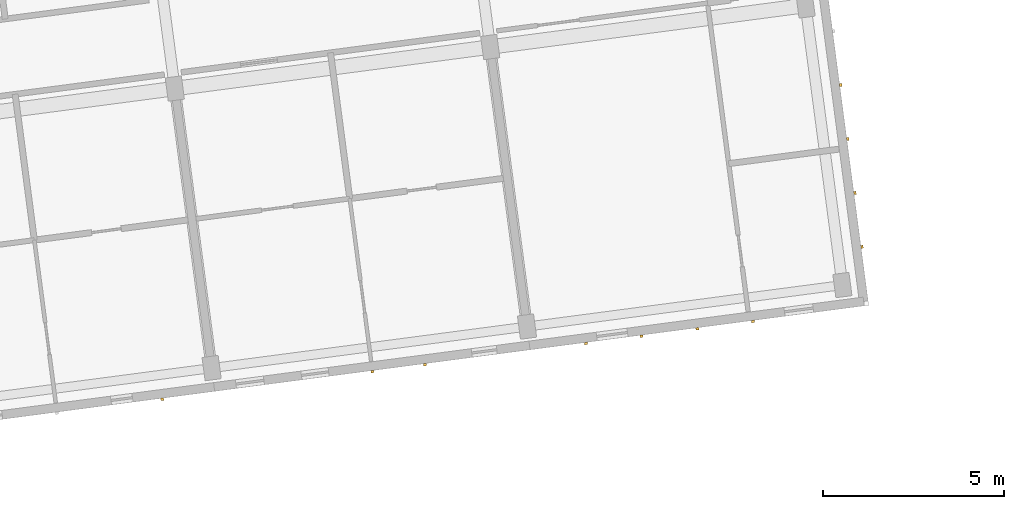
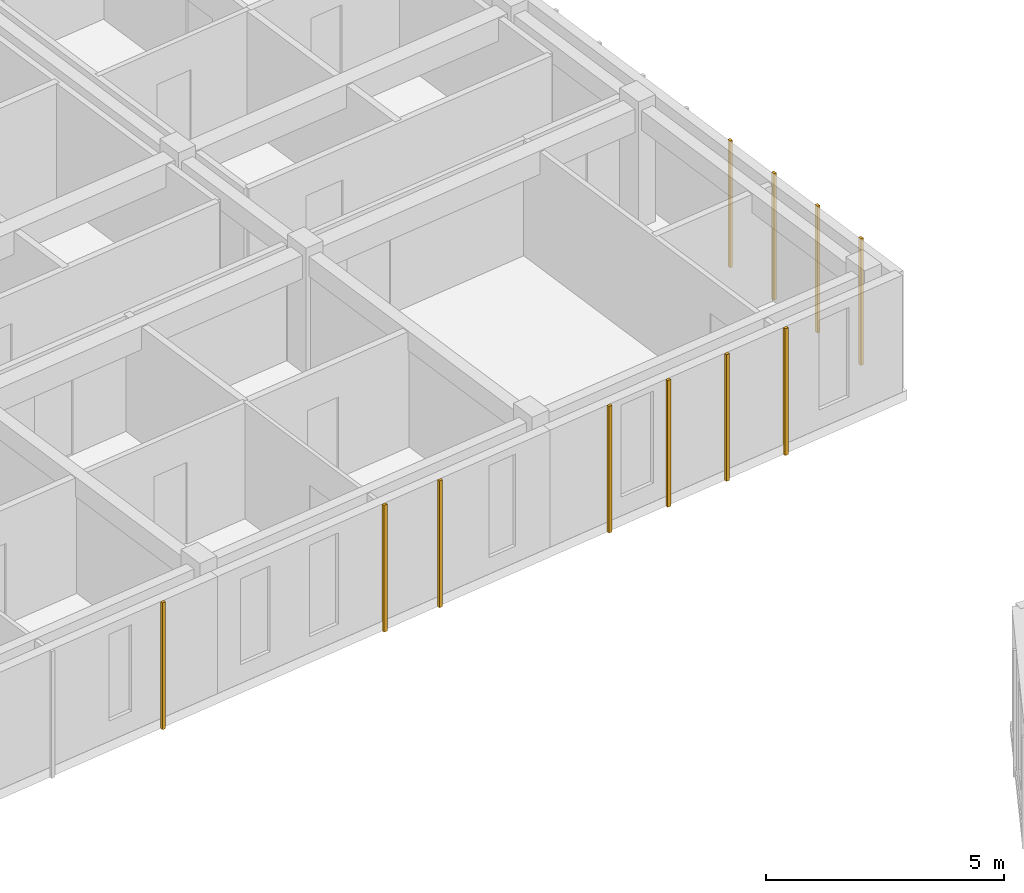
# One storey, part 40 of 56: 11 coverings.
"""IFC4 building model written with IfcOpenShell, lengths in metres."""

from ifc_helpers import new_model, si_unit, direction, frame, origin, origin_2d, place, context, subcontext, project, spatial, rectangle, extrude, material, layer, layer_set, type_object, element, save


model = new_model("IFC4")

# Units and contexts
model_context = context("Model", 3, precision=1e-05, world=origin(), true_north=direction((0.0, 1.0)))
body_context = subcontext(model_context, "Body", "Model", "MODEL_VIEW")
ifc_project = project(units=[si_unit("LENGTHUNIT", "METRE"), si_unit("AREAUNIT", "SQUARE_METRE"), si_unit("VOLUMEUNIT", "CUBIC_METRE"), si_unit("PLANEANGLEUNIT", "RADIAN"), si_unit("MASSUNIT", "GRAM", prefix="KILO")], contexts=[model_context])

# Site, building, storey
site_placement = place(None, origin())
site = spatial("IfcSite", under=ifc_project, at=site_placement, CompositionType="ELEMENT")
building_placement = place(site_placement, origin())
building = spatial("IfcBuilding", under=site, at=building_placement, Name="Kestramere Prow Commons", CompositionType="ELEMENT")
storey_placement = place(building_placement, frame((0.0, 0.0, 27.89990234375)))
storey = spatial("IfcBuildingStorey", under=building, at=storey_placement, Name="L08", CompositionType="ELEMENT", Elevation=27.89990234375)

# Coverings
ifc_material = material(Name="Weathered Zinc-Titanium Standing-Seam Cladding")
ifc_layer = layer(ifc_material, 0.074951171875)
ifc_layer_set = layer_set([ifc_layer], Name="Weathered Zinc-Titanium Standing-Seam Cladding")
covering_type = type_object("IfcCoveringType", Name="COV-CLAD-SEAM", PredefinedType="CLADDING", material=ifc_layer_set)
for number, where, z_axis, x_axis, name in (
    (1, (44.733154296875, 75.7314453125, -0.25), (0.0, 0.0, 1.0), (-0.991444861374, -0.13052619222, 0.0), "EW-A-L08-S-3 Standing-Seam Rib 1"),
    (2, (52.003662109375, 76.6884765625, -0.25), (0.0, 0.0, 1.0), (-0.991444861374, -0.13052619222, 0.0), "EW-A-L08-S-4 Standing-Seam Rib 2"),
    (3, (50.549560546875, 76.4970703125, -0.25), (0.0, 0.0, 1.0), (-0.991444861374, -0.13052619222, 0.0), "EW-A-L08-S-4 Standing-Seam Rib 3"),
    (4, (61.075439453125, 77.8828125, -0.25), (0.0, 0.0, 1.0), (-0.991444861374, -0.13052619222, 0.0), "EW-A-L08-S-5 Standing-Seam Rib 2"),
    (5, (59.53466796875, 77.679931640625, -0.25), (0.0, 0.0, 1.0), (-0.991444861374, -0.13052619222, 0.0), "EW-A-L08-S-5 Standing-Seam Rib 3"),
    (6, (57.99365234375, 77.47705078125, -0.25), (0.0, 0.0, 1.0), (-0.991444861374, -0.13052619222, 0.0), "EW-A-L08-S-5 Standing-Seam Rib 4"),
    (7, (56.452880859375, 77.2744140625, -0.25), (0.0, 0.0, 1.0), (-0.991444861374, -0.13052619222, 0.0), "EW-A-L08-S-5 Standing-Seam Rib 5"),
    (8, (63.50341796875, 84.422607421875, -0.25), (0.0, 0.0, 1.0), (0.13052619222, -0.991444861374, 0.0), "EW-A-L08-EAV Standing-Seam Rib 10"),
    (9, (63.69970703125, 82.931884765625, -0.25), (0.0, 0.0, 1.0), (0.13052619222, -0.991444861374, 0.0), "EW-A-L08-EAV Standing-Seam Rib 11"),
    (10, (63.89599609375, 81.441162109375, -0.25), (0.0, 0.0, 1.0), (0.13052619222, -0.991444861374, 0.0), "EW-A-L08-EAV Standing-Seam Rib 12"),
    (11, (64.09228515625, 79.950439453125, -0.25), (0.0, 0.0, 1.0), (0.13052619222, -0.991444861374, 0.0), "EW-A-L08-EAV Standing-Seam Rib 13"),
):
    element("IfcCovering", number, at=place(storey_placement, frame(where, z_axis=z_axis, x_axis=x_axis)), inside=storey, type_object=covering_type, Name=name, PredefinedType="CLADDING", context=body_context, shape_type="SweptSolid", body=[
        extrude(rectangle(XDim=0.0849609375, YDim=0.06494140625, at=origin_2d()), origin(), (0.0, 0.0, 1.0), 3.25),
    ])

save(model, "model.ifc")
